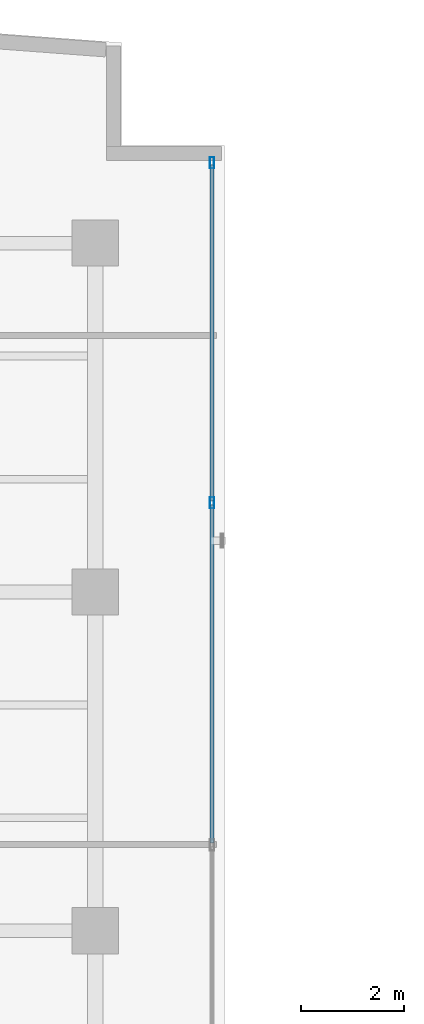
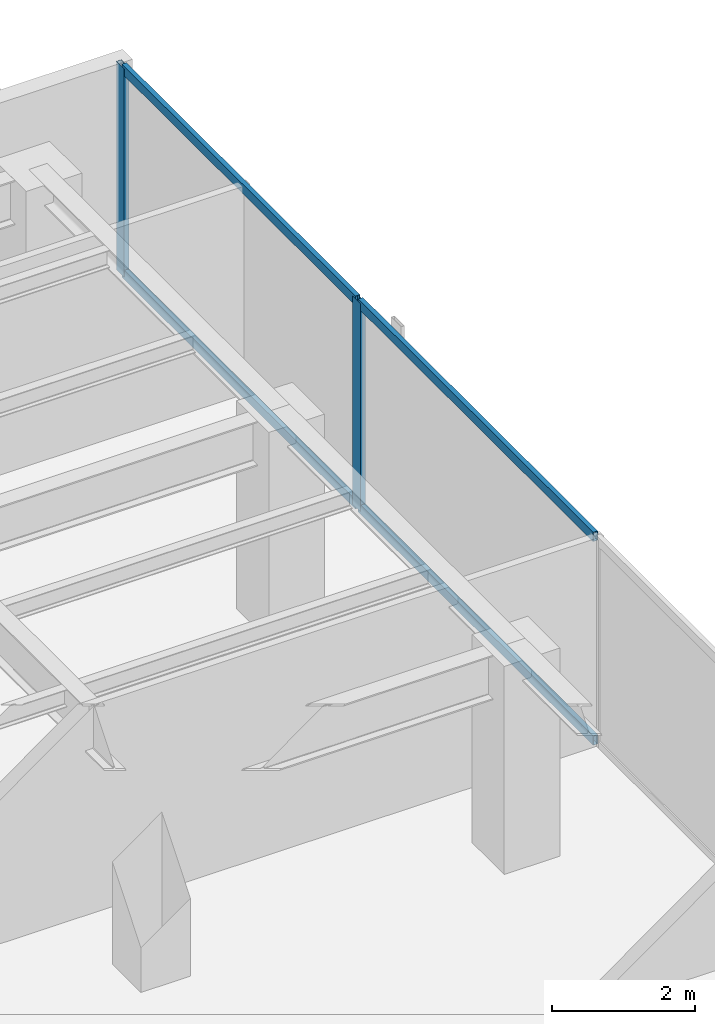
# One storey, part 15 of 24: 6 members, 1 element without a shape of its own.
"""IFC4 building model written with IfcOpenShell, lengths in metres."""

from ifc_helpers import new_model, si_unit, direction, frame, origin, origin_with_axes, origin_2d, place, context, subcontext, project, spatial, hollow_rectangle, extrude, source, transform, mapped, material, layer, layer_set, material_profile, profile_set, type_object, element, aggregate, save


model = new_model("IFC4")

# Units and contexts
model_context = context("Model", 3, precision=1e-05, world=origin(), true_north=direction((0.0, 1.0)))
body_context = subcontext(model_context, "Body", "Model", "MODEL_VIEW")
ifc_project = project(units=[si_unit("LENGTHUNIT", "METRE"), si_unit("AREAUNIT", "SQUARE_METRE"), si_unit("VOLUMEUNIT", "CUBIC_METRE"), si_unit("PLANEANGLEUNIT", "RADIAN"), si_unit("MASSUNIT", "GRAM", prefix="KILO")], contexts=[model_context])

# Site, building, storey
site_placement = place(None, origin())
site = spatial("IfcSite", under=ifc_project, at=site_placement, CompositionType="ELEMENT")
building_placement = place(site_placement, origin())
building = spatial("IfcBuilding", under=site, at=building_placement, Name="Kolvaren Waterfront Exchange", CompositionType="ELEMENT")
storey_placement = place(building_placement, frame((0.0, 0.0, 293.199951171875)))
storey = spatial("IfcBuildingStorey", under=building, at=storey_placement, Name="L75", CompositionType="ELEMENT", Elevation=293.199951171875)

# Curtain wall, members
ifc_material_1 = material(Name="Anodised bronze aluminium 6063-T6", Category="aluminium")
ifc_layer = layer(ifc_material_1, 0.219970703125, Name="Anodised bronze aluminium 6063-T6")
ifc_layer_set = layer_set([ifc_layer], Name="Anodised bronze aluminium 6063-T6")
curtain_wall_type = type_object("IfcCurtainWallType", Name="ARC-CW-SYS1", PredefinedType="USERDEFINED", material=ifc_layer_set)
curtain_wall_placement = place(storey_placement, origin())
curtain_wall = element("IfcCurtainWall", 1, at=curtain_wall_placement, inside=storey, type_object=curtain_wall_type, Name="L75 stick curtain wall CW1 (CW-L75-NE)", ObjectType="STICK CURTAIN WALL", PredefinedType="USERDEFINED")
ifc_material_2 = material(Name="Anodised aluminium 6063-T6", Category="aluminium")
ifc_material_profile_1 = material_profile(ifc_material_2, hollow_rectangle(XDim=0.080078125, YDim=0.219970703125, WallThickness=0.0048828125, at=origin_2d()), Name="ALU-MUL-220x80x5")
ifc_profile_set_1 = profile_set([ifc_material_profile_1], Name="Anodised aluminium 6063-T6")
member_type_1 = type_object("IfcMemberType", Name="ARC-CWM-220", PredefinedType="MULLION", material=ifc_profile_set_1)
shared_shape_1 = source(origin_with_axes(), body_context, "Body", "SweptSolid", [
    extrude(hollow_rectangle(XDim=0.080078125, YDim=0.219970703125, WallThickness=0.0048828125, at=origin_2d()), origin(), (0.0, 0.0, 1.0), 3.56005859375),
])
member_1_placement = place(storey_placement, frame((21.07568359375, 39.538818359375, 0.0), z_axis=(0.0, 0.0, 1.0), x_axis=(-1.0, 0.0, 0.0)))
member_1 = element("IfcMember", 2, at=member_1_placement, type_object=member_type_1, Name="CW1 mullion 3", PredefinedType="MULLION", context=body_context, shape_type="MappedRepresentation", body=[
    mapped(shared_shape_1, transform((0.0, 0.0, 0.0), x_axis=(1.0, 0.0, 0.0), y_axis=(0.0, 1.0, 0.0), z_axis=(0.0, 0.0, 1.0), scale=1.0)),
])
member_2_placement = place(storey_placement, frame((21.07568359375, 46.165283203125, 0.0), z_axis=(0.0, 0.0, 1.0), x_axis=(-1.0, 0.0, 0.0)))
member_2 = element("IfcMember", 3, at=member_2_placement, type_object=member_type_1, Name="CW1 mullion 4", PredefinedType="MULLION", context=body_context, shape_type="MappedRepresentation", body=[
    mapped(shared_shape_1, transform((0.0, 0.0, 0.0), x_axis=(1.0, 0.0, 0.0), y_axis=(0.0, 1.0, 0.0), z_axis=(0.0, 0.0, 1.0), scale=1.0)),
])
ifc_material_profile_2 = material_profile(ifc_material_2, hollow_rectangle(XDim=0.074951171875, YDim=0.159912109375, WallThickness=0.00439453125, at=origin_2d()), Name="ALU-TRN-160x75x4.5")
ifc_profile_set_2 = profile_set([ifc_material_profile_2], Name="Anodised aluminium 6063-T6")
member_type_2 = type_object("IfcMemberType", Name="ARC-CWT-160", PredefinedType="USERDEFINED", material=ifc_profile_set_2)
shared_shape_2 = source(origin_with_axes(), body_context, "Body", "SweptSolid", [
    extrude(hollow_rectangle(XDim=0.074951171875, YDim=0.159912109375, WallThickness=0.00439453125, at=origin_2d()), origin(), (0.0, 0.0, 1.0), 6.54638671875),
])
member_3_placement = place(storey_placement, frame((21.07568359375, 39.578857421875, 0.03759765625), z_axis=(0.0, 1.0, 0.0), x_axis=(-1.0, 0.0, 0.0)))
member_3 = element("IfcMember", 4, at=member_3_placement, type_object=member_type_2, Name="CW1 transom 3.1", ObjectType="TRANSOM", PredefinedType="USERDEFINED", context=body_context, shape_type="MappedRepresentation", body=[
    mapped(shared_shape_2, transform((0.0, 0.0, 0.0), x_axis=(1.0, 0.0, 0.0), y_axis=(0.0, 1.0, 0.0), z_axis=(0.0, 0.0, 1.0), scale=1.0)),
])
member_4_placement = place(storey_placement, frame((21.07568359375, 39.578857421875, 3.5224609375), z_axis=(0.0, 1.0, 0.0), x_axis=(-1.0, 0.0, 0.0)))
member_4 = element("IfcMember", 5, at=member_4_placement, type_object=member_type_2, Name="CW1 transom 3.2", ObjectType="TRANSOM", PredefinedType="USERDEFINED", context=body_context, shape_type="MappedRepresentation", body=[
    mapped(shared_shape_2, transform((0.0, 0.0, 0.0), x_axis=(1.0, 0.0, 0.0), y_axis=(0.0, 1.0, 0.0), z_axis=(0.0, 0.0, 1.0), scale=1.0)),
])
shared_shape_3 = source(origin_with_axes(), body_context, "Body", "SweptSolid", [
    extrude(hollow_rectangle(XDim=0.074951171875, YDim=0.159912109375, WallThickness=0.00439453125, at=origin_2d()), origin(), (0.0, 0.0, 1.0), 6.58642578125),
])
member_5_placement = place(storey_placement, frame((21.07568359375, 32.912353515625, 0.03759765625), z_axis=(0.0, 1.0, 0.0), x_axis=(-1.0, 0.0, 0.0)))
member_5 = element("IfcMember", 6, at=member_5_placement, type_object=member_type_2, Name="CW1 transom 2.1", ObjectType="TRANSOM", PredefinedType="USERDEFINED", context=body_context, shape_type="MappedRepresentation", body=[
    mapped(shared_shape_3, transform((0.0, 0.0, 0.0), x_axis=(1.0, 0.0, 0.0), y_axis=(0.0, 1.0, 0.0), z_axis=(0.0, 0.0, 1.0), scale=1.0)),
])
member_6_placement = place(storey_placement, frame((21.07568359375, 32.912353515625, 3.5224609375), z_axis=(0.0, 1.0, 0.0), x_axis=(-1.0, 0.0, 0.0)))
member_6 = element("IfcMember", 7, at=member_6_placement, type_object=member_type_2, Name="CW1 transom 2.2", ObjectType="TRANSOM", PredefinedType="USERDEFINED", context=body_context, shape_type="MappedRepresentation", body=[
    mapped(shared_shape_3, transform((0.0, 0.0, 0.0), x_axis=(1.0, 0.0, 0.0), y_axis=(0.0, 1.0, 0.0), z_axis=(0.0, 0.0, 1.0), scale=1.0)),
])
aggregate(curtain_wall, [member_1, member_2, member_5, member_6, member_3, member_4])

save(model, "model.ifc")
